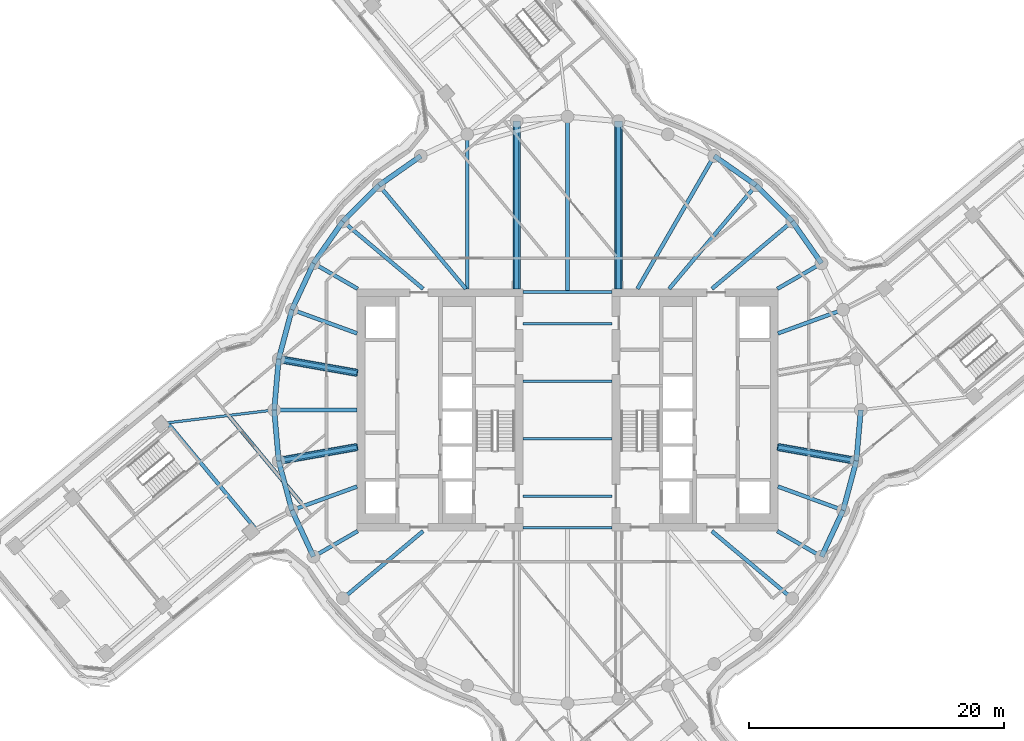
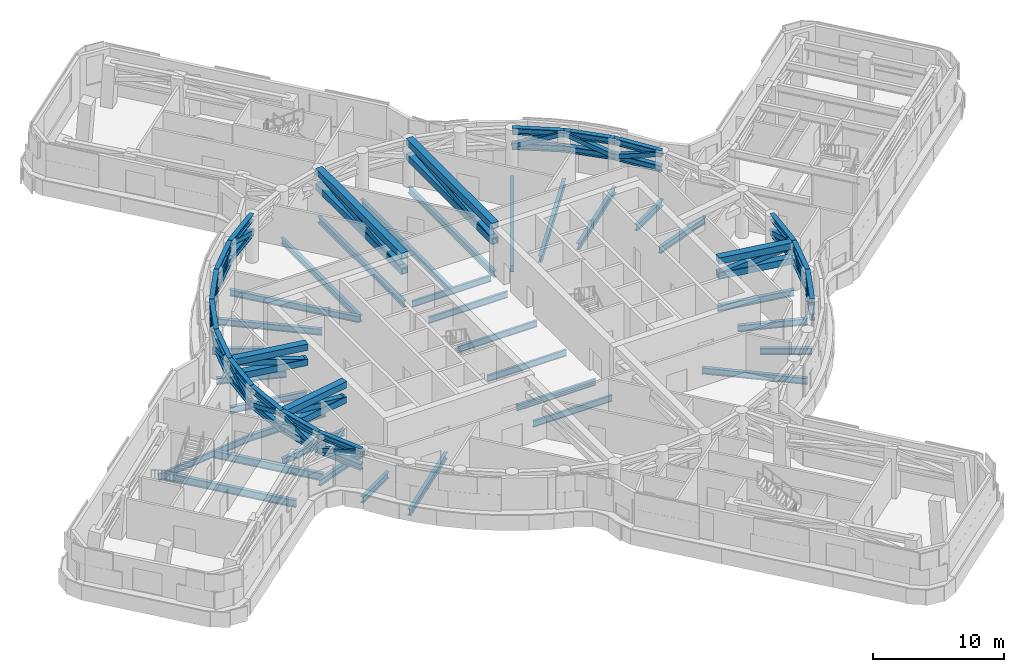
# One storey, part 3 of 22: 60 members, 32 beams.
"""IFC4 building model written with IfcOpenShell, lengths in metres."""

import ifcopenshell
import ifcopenshell.guid

model = None  # the IFC model being written
_history = None  # IfcOwnerHistory: only IFC2X3 demands one
_inside = {}  # id of a spatial element -> (the spatial element, [elements in it])
_under = {}  # id of a project, library or spatial element -> (it, [spatial elements below it])
_declared = {}  # id of a project -> (the project, [libraries it declares])
_typed = {}  # id of a type object -> (the type object, [elements of that type])
_made_of = {}  # id of a material, layer set ... -> (it, [elements and type objects made of it])


def new_model(schema):
    """Start an empty IFC model of exactly this schema.

    Asked for "IFC4X3", IfcOpenShell would pick the latest addendum, in which some entities
    have other attributes; the version numbers below select the first issue.
    IFC2X3 requires an IfcOwnerHistory on every rooted entity: one is made here for all.
    """
    global model, _history
    if schema == "IFC4X3":
        model = ifcopenshell.file(schema_version=(4, 3, 0, 0))
    else:
        model = ifcopenshell.file(schema=schema)
    _inside.clear()
    _under.clear()
    _declared.clear()
    _typed.clear()
    _made_of.clear()
    _history = None
    if model.schema == "IFC2X3":
        org = make("IfcOrganization", Name="unknown")
        user = make(
            "IfcPersonAndOrganization",
            ThePerson=make("IfcPerson", FamilyName="unknown"),
            TheOrganization=org,
        )
        app = make(
            "IfcApplication",
            ApplicationDeveloper=org,
            Version="unknown",
            ApplicationFullName="unknown",
            ApplicationIdentifier="unknown",
        )
        _history = make(
            "IfcOwnerHistory",
            OwningUser=user,
            OwningApplication=app,
            ChangeAction="ADDED",
            CreationDate=0,
        )
    return model


def make(cls, **values):
    """One entity of the class cls with the attributes given. An attribute that is None is left unset."""
    return model.create_entity(
        cls, **{name: value for name, value in values.items() if value is not None}
    )


def rooted(cls, **values):
    """An entity with a GlobalId (a new one), such as an element, a storey or a relation."""
    return make(cls, GlobalId=ifcopenshell.guid.new(), OwnerHistory=_history, **values)


def si_unit(unit_type, name, prefix=None):
    """IfcSIUnit, for example si_unit("LENGTHUNIT", "METRE", prefix="MILLI")."""
    return make("IfcSIUnit", UnitType=unit_type, Prefix=prefix, Name=name)


def assignment(units):
    """IfcUnitAssignment: the units of a project."""
    return None if units is None else make("IfcUnitAssignment", Units=units)


def point(xyz):
    """IfcCartesianPoint."""
    return None if xyz is None else make("IfcCartesianPoint", Coordinates=xyz)


def direction(xyz):
    """IfcDirection."""
    return None if xyz is None else make("IfcDirection", DirectionRatios=xyz)


def frame(location, z_axis=None, x_axis=None):
    """IfcAxis2Placement3D, a coordinate frame: its origin and axes. An axis left out is left unset."""
    return make(
        "IfcAxis2Placement3D",
        Location=point(location),
        Axis=direction(z_axis),
        RefDirection=direction(x_axis),
    )


def frame_2d(location, x_axis=None):
    """IfcAxis2Placement2D, a coordinate frame in the plane: its origin and x axis."""
    return make(
        "IfcAxis2Placement2D", Location=point(location), RefDirection=direction(x_axis)
    )


def origin():
    """The frame at (0, 0, 0) with its axes left unset."""
    return frame((0.0, 0.0, 0.0))


def origin_2d():
    """The frame at (0, 0) in the plane with its x axis left unset."""
    return frame_2d((0.0, 0.0))


def place(relative_to, where):
    """IfcLocalPlacement: puts the frame where relative to a parent placement (None: the world)."""
    return make(
        "IfcLocalPlacement", PlacementRelTo=relative_to, RelativePlacement=where
    )


def context(
    kind, dimensions, precision=None, world=None, true_north=None, identifier=None
):
    """IfcGeometricRepresentationContext, for example the 3D "Model" context."""
    return make(
        "IfcGeometricRepresentationContext",
        ContextIdentifier=identifier,
        ContextType=kind,
        CoordinateSpaceDimension=dimensions,
        Precision=precision,
        WorldCoordinateSystem=world,
        TrueNorth=true_north,
    )


def subcontext(parent, identifier, kind, view, scale=None):
    """IfcGeometricRepresentationSubContext, for example "Body" below "Model"."""
    return make(
        "IfcGeometricRepresentationSubContext",
        ContextIdentifier=identifier,
        ContextType=kind,
        ParentContext=parent,
        TargetScale=scale,
        TargetView=view,
    )


def project(units=None, contexts=None):
    """IfcProject with its units and contexts."""
    return rooted(
        "IfcProject",
        Name="project",
        RepresentationContexts=contexts,
        UnitsInContext=assignment(units),
    )


def spatial(cls, under=None, at=None, **own):
    """A site, building, storey or space (cls), placed at a placement, below another one or the project."""
    s = rooted(cls, ObjectPlacement=at, **own)
    if under is not None:
        _under.setdefault(under.id(), (under, []))[1].append(s)
    return s


def profile(cls, at=None, kind="AREA", **sizes):
    """A parametric profile (cls). Its sizes go by their IFC names, for example OverallWidth=200.0."""
    return make(cls, ProfileType=kind, Position=at, **sizes)


def hollow_rectangle(**sizes):
    """IfcRectangleHollowProfileDef."""
    return profile("IfcRectangleHollowProfileDef", **sizes)


def i_section(**sizes):
    """IfcIShapeProfileDef."""
    return profile("IfcIShapeProfileDef", **sizes)


def extrude(swept, where, along, depth):
    """IfcExtrudedAreaSolid: the profile swept, set in the frame where, extruded along a direction by depth."""
    return make(
        "IfcExtrudedAreaSolid",
        SweptArea=swept,
        Position=where,
        ExtrudedDirection=direction(along),
        Depth=depth,
    )


def shape(context_of_items, identifier, shape_type, items):
    """IfcShapeRepresentation: the items that make up one representation, for example the "Body"."""
    return make(
        "IfcShapeRepresentation",
        ContextOfItems=context_of_items,
        RepresentationIdentifier=identifier,
        RepresentationType=shape_type,
        Items=items,
    )


def material(Name=None, Category=None):
    """IfcMaterial."""
    return make("IfcMaterial", Name=Name, Category=Category)


def material_profile(
    of_material, cross_section, Name=None, Category=None, Priority=None
):
    """IfcMaterialProfile: a cross section and its material."""
    return make(
        "IfcMaterialProfile",
        Name=Name,
        Material=of_material,
        Profile=cross_section,
        Priority=Priority,
        Category=Category,
    )


def profile_set(profiles, Name=None, composite=None):
    """IfcMaterialProfileSet."""
    return make(
        "IfcMaterialProfileSet",
        Name=Name,
        MaterialProfiles=profiles,
        CompositeProfile=composite,
    )


def made_of(thing, what):
    """Note that an element or type object is made of a material, layer set ...; save() writes the relation."""
    if what is not None:
        _made_of.setdefault(what.id(), (what, []))[1].append(thing)
    return thing


def type_object(cls, material=None, **own):
    """A type object (cls), such as IfcWallType, which elements share."""
    return made_of(rooted(cls, **own), material)


def element(
    cls,
    number,
    at=None,
    inside=None,
    cuts=None,
    type_object=None,
    material=None,
    context=None,
    identifier="Body",
    shape_type=None,
    held_by="IfcProductDefinitionShape",
    body=None,
    shapes=None,
    **own,
):
    """One element of the class cls, such as IfcWall. Its Tag is "e" and its number.

    at: its placement. inside: the storey or other place that contains it. cuts: it is an
    opening in that element (IfcRelVoidsElement). A single representation is given by context,
    identifier, shape_type and body (its items); several are given by shapes. held_by: the class
    of the entity that holds the representations. save() writes the other relations.
    """
    e = rooted(cls, Tag="e%d" % number, ObjectPlacement=at, **own)
    if body is not None:
        shapes = [shape(context, identifier, shape_type, body)]
    if shapes is not None:
        e.Representation = make(held_by, Representations=shapes)
    if inside is not None:
        _inside.setdefault(inside.id(), (inside, []))[1].append(e)
    if cuts is not None:
        rooted(
            "IfcRelVoidsElement", RelatingBuildingElement=cuts, RelatedOpeningElement=e
        )
    if type_object is not None:
        _typed.setdefault(type_object.id(), (type_object, []))[1].append(e)
    return made_of(e, material)


def aggregate(whole, parts):
    """IfcRelAggregates: a whole, such as a stair, and the parts it consists of."""
    return rooted("IfcRelAggregates", RelatingObject=whole, RelatedObjects=parts)


def save(model, path):
    """Write the relations noted so far, then the file.

    IfcRelAggregates (storeys below a building ...), IfcRelContainedInSpatialStructure (elements
    in a storey), IfcRelDefinesByType, IfcRelAssociatesMaterial and IfcRelDeclares: one each for
    every whole, place, type object, material and project.
    """
    for whole, parts in _under.values():
        aggregate(whole, parts)
    for where, things in _inside.values():
        rooted(
            "IfcRelContainedInSpatialStructure",
            RelatedElements=things,
            RelatingStructure=where,
        )
    for kind, things in _typed.values():
        rooted("IfcRelDefinesByType", RelatedObjects=things, RelatingType=kind)
    for what, things in _made_of.values():
        rooted("IfcRelAssociatesMaterial", RelatedObjects=things, RelatingMaterial=what)
    for by, libraries in _declared.values():
        rooted("IfcRelDeclares", RelatingContext=by, RelatedDefinitions=libraries)
    model.write(path)


model = new_model("IFC4")

# Units and contexts
model_context = context("Model", 3, precision=1e-05, world=origin(), true_north=direction((0.0, 1.0)))
body_context = subcontext(model_context, "Body", "Model", "MODEL_VIEW")
ifc_project = project(units=[si_unit("LENGTHUNIT", "METRE"), si_unit("AREAUNIT", "SQUARE_METRE"), si_unit("VOLUMEUNIT", "CUBIC_METRE"), si_unit("PLANEANGLEUNIT", "RADIAN"), si_unit("MASSUNIT", "GRAM", prefix="KILO")], contexts=[model_context])

# Site, building, storey
site_placement = place(None, origin())
site = spatial("IfcSite", under=ifc_project, at=site_placement, CompositionType="ELEMENT")
building_placement = place(site_placement, origin())
building = spatial("IfcBuilding", under=site, at=building_placement, Name="Tamarind Cross Interchange Tower", CompositionType="ELEMENT")
storey_placement = place(building_placement, frame((0.0, 0.0, 178.0)))
storey = spatial("IfcBuildingStorey", under=building, at=storey_placement, Name="L44", CompositionType="ELEMENT", Elevation=178.0)

# Beams
ifc_material_1 = material(Name="Steel Q355B", Category="steel")
ifc_material_profile_1 = material_profile(ifc_material_1, i_section(OverallWidth=0.302001953125, OverallDepth=0.593994140625, WebThickness=0.013916015625, FlangeThickness=0.02294921875, FilletRadius=0.01806640625, at=origin_2d()), Name="HM 594x302x14x23")
ifc_profile_set_1 = profile_set([ifc_material_profile_1], Name="Steel Q355B")
beam_type_1 = type_object("IfcBeamType", Name="Composite beam HM 594x302x14x23 Q355B", PredefinedType="BEAM", material=ifc_profile_set_1)
beam_1_placement = place(storey_placement, frame((21.613037109375, 7.866455078125, -0.47705078125), z_axis=(-0.939701685589, -0.341995236956, 0.0), x_axis=(0.341995236956, -0.939701685589, 0.0)))
element("IfcBeam", 1, at=beam_1_placement, inside=storey, type_object=beam_type_1, Name="Beam HH02", PredefinedType="BEAM", context=body_context, shape_type="SweptSolid", body=[
    extrude(i_section(OverallWidth=0.302001953125, OverallDepth=0.593994140625, WebThickness=0.013916015625, FlangeThickness=0.02294921875, FilletRadius=0.01806640625, at=origin_2d()), origin(), (0.0, 0.0, 1.0), 5.441162109375),
])
beam_2_placement = place(storey_placement, frame((19.918701171875, 11.5, -0.47705078125), z_axis=(-0.866026010844, -0.49999894854, 0.0), x_axis=(0.49999894854, -0.866026010844, 0.0)))
element("IfcBeam", 2, at=beam_2_placement, inside=storey, type_object=beam_type_1, Name="Beam HH03", PredefinedType="BEAM", context=body_context, shape_type="SweptSolid", body=[
    extrude(i_section(OverallWidth=0.302001953125, OverallDepth=0.593994140625, WebThickness=0.013916015625, FlangeThickness=0.02294921875, FilletRadius=0.01806640625, at=origin_2d()), origin(), (0.0, 0.0, 1.0), 4.0),
])
beam_3_placement = place(storey_placement, frame((17.619140625, 14.7841796875, -0.47705078125), z_axis=(-0.766040580814, -0.642792212574, 0.0), x_axis=(0.642792212574, -0.766040580814, 0.0)))
element("IfcBeam", 3, at=beam_3_placement, inside=storey, type_object=beam_type_1, Name="Beam HH04", PredefinedType="BEAM", context=body_context, shape_type="SweptSolid", body=[
    extrude(i_section(OverallWidth=0.302001953125, OverallDepth=0.593994140625, WebThickness=0.013916015625, FlangeThickness=0.02294921875, FilletRadius=0.01806640625, at=origin_2d()), origin(), (0.0, 0.0, 1.0), 8.220703125),
])
beam_4_placement = place(storey_placement, frame((14.7841796875, 17.619140625, -0.47705078125), z_axis=(-0.642786293979, -0.766045547127, 0.0), x_axis=(0.766045547127, -0.642786293979, 0.0)))
element("IfcBeam", 4, at=beam_4_placement, inside=storey, type_object=beam_type_1, Name="Beam HH05", PredefinedType="BEAM", context=body_context, shape_type="SweptSolid", body=[
    extrude(i_section(OverallWidth=0.302001953125, OverallDepth=0.593994140625, WebThickness=0.013916015625, FlangeThickness=0.02294921875, FilletRadius=0.01806640625, at=origin_2d()), origin(), (0.0, 0.0, 1.0), 10.598876953125),
])
beam_5_placement = place(storey_placement, frame((11.5, 19.918701171875, -0.47705078125), z_axis=(-0.499993565836, -0.866029118519, 0.0), x_axis=(0.866029118519, -0.499993565836, 0.0)))
element("IfcBeam", 5, at=beam_5_placement, inside=storey, type_object=beam_type_1, Name="Beam HH06", PredefinedType="BEAM", context=body_context, shape_type="SweptSolid", body=[
    extrude(i_section(OverallWidth=0.302001953125, OverallDepth=0.593994140625, WebThickness=0.013916015625, FlangeThickness=0.02294921875, FilletRadius=0.01806640625, at=origin_2d()), origin(), (0.0, 0.0, 1.0), 12.030517578125),
])
beam_6_placement = place(storey_placement, frame((3.993896484375, 22.650634765625, -0.47705078125), z_axis=(0.0, -1.0, 0.0), x_axis=(1.0, 0.0, 0.0)))
element("IfcBeam", 6, at=beam_6_placement, inside=storey, type_object=beam_type_1, Name="Beam HH08", PredefinedType="BEAM", context=body_context, shape_type="SweptSolid", body=[
    extrude(i_section(OverallWidth=0.302001953125, OverallDepth=0.593994140625, WebThickness=0.013916015625, FlangeThickness=0.02294921875, FilletRadius=0.01806640625, at=origin_2d()), origin(), (0.0, 0.0, 1.0), 13.150634765625),
])
beam_7_placement = place(storey_placement, frame((0.0, 23.0, -0.47705078125), z_axis=(0.0, -1.0, 0.0), x_axis=(1.0, 0.0, 0.0)))
element("IfcBeam", 7, at=beam_7_placement, inside=storey, type_object=beam_type_1, Name="Beam HH09", PredefinedType="BEAM", context=body_context, shape_type="SweptSolid", body=[
    extrude(i_section(OverallWidth=0.302001953125, OverallDepth=0.593994140625, WebThickness=0.013916015625, FlangeThickness=0.02294921875, FilletRadius=0.01806640625, at=origin_2d()), origin(), (0.0, 0.0, 1.0), 13.75),
])
beam_8_placement = place(storey_placement, frame((-3.993896484375, 22.650634765625, -0.47705078125), z_axis=(0.0, -1.0, 0.0), x_axis=(1.0, 0.0, 0.0)))
element("IfcBeam", 8, at=beam_8_placement, inside=storey, type_object=beam_type_1, Name="Beam HH10", PredefinedType="BEAM", context=body_context, shape_type="SweptSolid", body=[
    extrude(i_section(OverallWidth=0.302001953125, OverallDepth=0.593994140625, WebThickness=0.013916015625, FlangeThickness=0.02294921875, FilletRadius=0.01806640625, at=origin_2d()), origin(), (0.0, 0.0, 1.0), 13.150634765625),
])
beam_9_placement = place(storey_placement, frame((-7.866455078125, 21.613037109375, -0.47705078125), z_axis=(0.0, -1.0, 0.0), x_axis=(1.0, 0.0, 0.0)))
element("IfcBeam", 9, at=beam_9_placement, inside=storey, type_object=beam_type_1, Name="Beam HH11", PredefinedType="BEAM", context=body_context, shape_type="SweptSolid", body=[
    extrude(i_section(OverallWidth=0.302001953125, OverallDepth=0.593994140625, WebThickness=0.013916015625, FlangeThickness=0.02294921875, FilletRadius=0.01806640625, at=origin_2d()), origin(), (0.0, 0.0, 1.0), 12.113037109375),
])
beam_10_placement = place(storey_placement, frame((-14.7841796875, 17.619140625, -0.47705078125), z_axis=(0.642786293979, -0.766045547127, 0.0), x_axis=(0.766045547127, 0.642786293979, 0.0)))
element("IfcBeam", 10, at=beam_10_placement, inside=storey, type_object=beam_type_1, Name="Beam HH13", PredefinedType="BEAM", context=body_context, shape_type="SweptSolid", body=[
    extrude(i_section(OverallWidth=0.302001953125, OverallDepth=0.593994140625, WebThickness=0.013916015625, FlangeThickness=0.02294921875, FilletRadius=0.01806640625, at=origin_2d()), origin(), (0.0, 0.0, 1.0), 10.598876953125),
])
beam_11_placement = place(storey_placement, frame((-17.619140625, 14.7841796875, -0.47705078125), z_axis=(0.766040580814, -0.642792212574, 0.0), x_axis=(0.642792212574, 0.766040580814, 0.0)))
element("IfcBeam", 11, at=beam_11_placement, inside=storey, type_object=beam_type_1, Name="Beam HH14", PredefinedType="BEAM", context=body_context, shape_type="SweptSolid", body=[
    extrude(i_section(OverallWidth=0.302001953125, OverallDepth=0.593994140625, WebThickness=0.013916015625, FlangeThickness=0.02294921875, FilletRadius=0.01806640625, at=origin_2d()), origin(), (0.0, 0.0, 1.0), 8.220703125),
])
beam_12_placement = place(storey_placement, frame((-19.918701171875, 11.5, -0.47705078125), z_axis=(0.866026010844, -0.49999894854, 0.0), x_axis=(0.49999894854, 0.866026010844, 0.0)))
element("IfcBeam", 12, at=beam_12_placement, inside=storey, type_object=beam_type_1, Name="Beam HH15", PredefinedType="BEAM", context=body_context, shape_type="SweptSolid", body=[
    extrude(i_section(OverallWidth=0.302001953125, OverallDepth=0.593994140625, WebThickness=0.013916015625, FlangeThickness=0.02294921875, FilletRadius=0.01806640625, at=origin_2d()), origin(), (0.0, 0.0, 1.0), 4.0),
])
beam_13_placement = place(storey_placement, frame((-21.613037109375, 7.866455078125, -0.47705078125), z_axis=(0.939701685589, -0.341995236956, 0.0), x_axis=(0.341995236956, 0.939701685589, 0.0)))
element("IfcBeam", 13, at=beam_13_placement, inside=storey, type_object=beam_type_1, Name="Beam HH16", PredefinedType="BEAM", context=body_context, shape_type="SweptSolid", body=[
    extrude(i_section(OverallWidth=0.302001953125, OverallDepth=0.593994140625, WebThickness=0.013916015625, FlangeThickness=0.02294921875, FilletRadius=0.01806640625, at=origin_2d()), origin(), (0.0, 0.0, 1.0), 5.441162109375),
])
beam_14_placement = place(storey_placement, frame((-22.650634765625, 3.993896484375, -0.47705078125), z_axis=(0.984809127561, -0.173640382036, 0.0), x_axis=(0.173640382036, 0.984809127561, 0.0)))
element("IfcBeam", 14, at=beam_14_placement, inside=storey, type_object=beam_type_1, Name="Beam HH17", PredefinedType="BEAM", context=body_context, shape_type="SweptSolid", body=[
    extrude(i_section(OverallWidth=0.302001953125, OverallDepth=0.593994140625, WebThickness=0.013916015625, FlangeThickness=0.02294921875, FilletRadius=0.01806640625, at=origin_2d()), origin(), (0.0, 0.0, 1.0), 6.24560546875),
])
beam_15_placement = place(storey_placement, frame((-23.0, 0.0, -0.47705078125), z_axis=(1.0, 0.0, 0.0), x_axis=(0.0, 1.0, 0.0)))
element("IfcBeam", 15, at=beam_15_placement, inside=storey, type_object=beam_type_1, Name="Beam HH18", PredefinedType="BEAM", context=body_context, shape_type="SweptSolid", body=[
    extrude(i_section(OverallWidth=0.302001953125, OverallDepth=0.593994140625, WebThickness=0.013916015625, FlangeThickness=0.02294921875, FilletRadius=0.01806640625, at=origin_2d()), origin(), (0.0, 0.0, 1.0), 6.5),
])
beam_16_placement = place(storey_placement, frame((-22.650634765625, -3.993896484375, -0.47705078125), z_axis=(0.984809127561, 0.173640382036, 0.0), x_axis=(-0.173640382036, 0.984809127561, 0.0)))
element("IfcBeam", 16, at=beam_16_placement, inside=storey, type_object=beam_type_1, Name="Beam HH19", PredefinedType="BEAM", context=body_context, shape_type="SweptSolid", body=[
    extrude(i_section(OverallWidth=0.302001953125, OverallDepth=0.593994140625, WebThickness=0.013916015625, FlangeThickness=0.02294921875, FilletRadius=0.01806640625, at=origin_2d()), origin(), (0.0, 0.0, 1.0), 6.24560546875),
])
beam_17_placement = place(storey_placement, frame((-21.613037109375, -7.866455078125, -0.47705078125), z_axis=(0.939701685589, 0.341995236956, 0.0), x_axis=(-0.341995236956, 0.939701685589, 0.0)))
element("IfcBeam", 17, at=beam_17_placement, inside=storey, type_object=beam_type_1, Name="Beam HH20", PredefinedType="BEAM", context=body_context, shape_type="SweptSolid", body=[
    extrude(i_section(OverallWidth=0.302001953125, OverallDepth=0.593994140625, WebThickness=0.013916015625, FlangeThickness=0.02294921875, FilletRadius=0.01806640625, at=origin_2d()), origin(), (0.0, 0.0, 1.0), 5.441162109375),
])
beam_18_placement = place(storey_placement, frame((-19.918701171875, -11.5, -0.47705078125), z_axis=(0.866026010844, 0.49999894854, 0.0), x_axis=(-0.49999894854, 0.866026010844, 0.0)))
element("IfcBeam", 18, at=beam_18_placement, inside=storey, type_object=beam_type_1, Name="Beam HH21", PredefinedType="BEAM", context=body_context, shape_type="SweptSolid", body=[
    extrude(i_section(OverallWidth=0.302001953125, OverallDepth=0.593994140625, WebThickness=0.013916015625, FlangeThickness=0.02294921875, FilletRadius=0.01806640625, at=origin_2d()), origin(), (0.0, 0.0, 1.0), 4.0),
])
for number, where, z_axis, x_axis, name in (
    (19, (-17.619140625, -14.7841796875, -0.47705078125), (0.766040580814, 0.642792212574, 0.0), (-0.642792212574, 0.766040580814, 0.0), "Beam HH22"),
    (20, (17.619140625, -14.7841796875, -0.47705078125), (-0.766040580814, 0.642792212574, 0.0), (-0.642792212574, -0.766040580814, 0.0), "Beam HH32"),
):
    element("IfcBeam", number, at=place(storey_placement, frame(where, z_axis=z_axis, x_axis=x_axis)), inside=storey, type_object=beam_type_1, Name=name, PredefinedType="BEAM", context=body_context, shape_type="SweptSolid", body=[
        extrude(i_section(OverallWidth=0.302001953125, OverallDepth=0.593994140625, WebThickness=0.013916015625, FlangeThickness=0.02294921875, FilletRadius=0.01806640625, at=origin_2d()), origin(), (0.0, 0.0, 1.0), 8.220703125),
    ])
beam_19_placement = place(storey_placement, frame((19.918701171875, -11.5, -0.47705078125), z_axis=(-0.866026010844, 0.49999894854, 0.0), x_axis=(-0.49999894854, -0.866026010844, 0.0)))
element("IfcBeam", 21, at=beam_19_placement, inside=storey, type_object=beam_type_1, Name="Beam HH33", PredefinedType="BEAM", context=body_context, shape_type="SweptSolid", body=[
    extrude(i_section(OverallWidth=0.302001953125, OverallDepth=0.593994140625, WebThickness=0.013916015625, FlangeThickness=0.02294921875, FilletRadius=0.01806640625, at=origin_2d()), origin(), (0.0, 0.0, 1.0), 4.0),
])
beam_20_placement = place(storey_placement, frame((21.613037109375, -7.866455078125, -0.47705078125), z_axis=(-0.939701685589, 0.341995236956, 0.0), x_axis=(-0.341995236956, -0.939701685589, 0.0)))
element("IfcBeam", 22, at=beam_20_placement, inside=storey, type_object=beam_type_1, Name="Beam HH34", PredefinedType="BEAM", context=body_context, shape_type="SweptSolid", body=[
    extrude(i_section(OverallWidth=0.302001953125, OverallDepth=0.593994140625, WebThickness=0.013916015625, FlangeThickness=0.02294921875, FilletRadius=0.01806640625, at=origin_2d()), origin(), (0.0, 0.0, 1.0), 5.441162109375),
])
beam_21_placement = place(storey_placement, frame((22.650634765625, -3.993896484375, -0.47705078125), z_axis=(-0.984809127561, 0.173640382036, 0.0), x_axis=(-0.173640382036, -0.984809127561, 0.0)))
element("IfcBeam", 23, at=beam_21_placement, inside=storey, type_object=beam_type_1, Name="Beam HH35", PredefinedType="BEAM", context=body_context, shape_type="SweptSolid", body=[
    extrude(i_section(OverallWidth=0.302001953125, OverallDepth=0.593994140625, WebThickness=0.013916015625, FlangeThickness=0.02294921875, FilletRadius=0.01806640625, at=origin_2d()), origin(), (0.0, 0.0, 1.0), 6.24560546875),
])
ifc_material_profile_2 = material_profile(ifc_material_1, i_section(OverallWidth=0.198974609375, OverallDepth=0.595947265625, WebThickness=0.010009765625, FlangeThickness=0.014892578125, FilletRadius=0.012939453125, at=origin_2d()), Name="HN 596x199x10x15")
ifc_profile_set_2 = profile_set([ifc_material_profile_2], Name="Steel Q355B")
beam_type_2 = type_object("IfcBeamType", Name="Composite beam HN 596x199x10x15 Q355B", PredefinedType="BEAM", material=ifc_profile_set_2)
for number, where, z_axis, x_axis, name in (
    (24, (-3.5, -2.25, -0.47802734375), (1.0, 0.0, 0.0), (0.0, 1.0, 0.0), "Beam G-2.25"),
    (25, (-3.5, -6.75, -0.47802734375), (1.0, 0.0, 0.0), (0.0, 1.0, 0.0), "Beam G-6.75"),
    (26, (-3.5, -9.25, -0.47802734375), (1.0, 0.0, 0.0), (0.0, 1.0, 0.0), "Beam G-9.25"),
    (27, (-3.5, 2.25, -0.47802734375), (1.0, 0.0, 0.0), (0.0, 1.0, 0.0), "Beam G2.25"),
    (28, (-3.5, 6.75, -0.47802734375), (1.0, 0.0, 0.0), (0.0, 1.0, 0.0), "Beam G6.75"),
    (29, (-3.5, 9.25, -0.47802734375), (1.0, 0.0, 0.0), (0.0, 1.0, 0.0), "Beam G9.25"),
):
    element("IfcBeam", number, at=place(storey_placement, frame(where, z_axis=z_axis, x_axis=x_axis)), inside=storey, type_object=beam_type_2, Name=name, PredefinedType="BEAM", context=body_context, shape_type="SweptSolid", body=[
        extrude(i_section(OverallWidth=0.198974609375, OverallDepth=0.595947265625, WebThickness=0.010009765625, FlangeThickness=0.014892578125, FilletRadius=0.012939453125, at=origin_2d()), origin(), (0.0, 0.0, 1.0), 7.0),
    ])
ifc_material_profile_3 = material_profile(ifc_material_1, i_section(OverallWidth=0.199951171875, OverallDepth=0.60009765625, WebThickness=0.010986328125, FlangeThickness=0.01708984375, FilletRadius=0.012939453125, at=origin_2d()), Name="HN 600x200x11x17")
ifc_profile_set_3 = profile_set([ifc_material_profile_3], Name="Steel Q355B")
beam_type_3 = type_object("IfcBeamType", Name="Composite beam HN 600x200x11x17 Q355B", PredefinedType="BEAM", material=ifc_profile_set_3)
beam_22_placement = place(storey_placement, frame((-31.899169921875, -1.070556640625, -0.47998046875), z_axis=(0.992841738772, 0.119437354929, 0.0), x_axis=(-0.119437354929, 0.992841738772, 0.0)))
element("IfcBeam", 30, at=beam_22_placement, inside=storey, type_object=beam_type_3, Name="Beam W-linkem", PredefinedType="BEAM", context=body_context, shape_type="SweptSolid", body=[
    extrude(i_section(OverallWidth=0.199951171875, OverallDepth=0.60009765625, WebThickness=0.010986328125, FlangeThickness=0.01708984375, FilletRadius=0.012939453125, at=origin_2d()), origin(), (0.0, 0.0, 1.0), 8.96337890625),
])
ifc_material_profile_4 = material_profile(ifc_material_1, i_section(OverallWidth=0.300048828125, OverallDepth=0.699951171875, WebThickness=0.012939453125, FlangeThickness=0.02392578125, FilletRadius=0.01806640625, at=origin_2d()), Name="HN 700x300x13x24")
ifc_profile_set_4 = profile_set([ifc_material_profile_4], Name="Steel Q355B")
beam_type_4 = type_object("IfcBeamType", Name="Composite beam HN 700x300x13x24 Q355B", PredefinedType="BEAM", material=ifc_profile_set_4)
beam_23_placement = place(storey_placement, frame((-31.367431640625, -1.006591796875, -0.530029296875), z_axis=(0.638806079007, -0.769367788137, 0.0), x_axis=(0.769367788137, 0.638806079007, 0.0)))
element("IfcBeam", 31, at=beam_23_placement, inside=storey, type_object=beam_type_4, Name="Beam W-x298", PredefinedType="BEAM", context=body_context, shape_type="SweptSolid", body=[
    extrude(i_section(OverallWidth=0.300048828125, OverallDepth=0.699951171875, WebThickness=0.012939453125, FlangeThickness=0.02392578125, FilletRadius=0.01806640625, at=origin_2d()), origin(), (0.0, 0.0, 1.0), 10.81005859375),
])
beam_24_placement = place(storey_placement, frame((-26.581298828125, -0.430908203125, -0.530029296875), z_axis=(0.638801055904, -0.769371958793, 0.0), x_axis=(0.769371958793, 0.638801055904, 0.0)))
element("IfcBeam", 32, at=beam_24_placement, inside=storey, type_object=beam_type_4, Name="Beam W-x258", PredefinedType="BEAM", context=body_context, shape_type="SweptSolid", body=[
    extrude(i_section(OverallWidth=0.300048828125, OverallDepth=0.699951171875, WebThickness=0.012939453125, FlangeThickness=0.02392578125, FilletRadius=0.01806640625, at=origin_2d()), origin(), (0.0, 0.0, 1.0), 8.89453125),
])

# Members
ifc_material_2 = material(Name="Steel Q420B", Category="steel")
ifc_material_profile_5 = material_profile(ifc_material_2, i_section(OverallWidth=0.39990234375, OverallDepth=0.60009765625, WebThickness=0.02490234375, FlangeThickness=0.0400390625, at=origin_2d()), Name="BH 600x400x25x40")
ifc_profile_set_5 = profile_set([ifc_material_profile_5], Name="Steel Q420B")
member_type_1 = type_object("IfcMemberType", Name="Truss chord BH 600x400x25x40 Q420B", PredefinedType="CHORD", material=ifc_profile_set_5)
for number, where, z_axis, x_axis, name in (
    (33, (19.918701171875, 11.5, 4.06005859375), (-0.573568599011, 0.819157531998, 0.0), (-0.819157531998, -0.573568599011, 0.0), "Belt truss ring top H03"),
    (34, (19.918701171875, 11.5, 2.64990234375), (-0.573568599011, 0.819157531998, 0.0), (-0.819157531998, -0.573568599011, 0.0), "Belt truss ring bottom H03"),
    (35, (17.619140625, 14.7841796875, 4.06005859375), (-0.707106781187, 0.707106781187, 0.0), (-0.707106781187, -0.707106781187, 0.0), "Belt truss ring top H04"),
    (36, (17.619140625, 14.7841796875, 2.64990234375), (-0.707106781187, 0.707106781187, 0.0), (-0.707106781187, -0.707106781187, 0.0), "Belt truss ring bottom H04"),
    (37, (14.7841796875, 17.619140625, 4.06005859375), (-0.819157531998, 0.573568599011, 0.0), (-0.573568599011, -0.819157531998, 0.0), "Belt truss ring top H05"),
    (38, (14.7841796875, 17.619140625, 2.64990234375), (-0.819157531998, 0.573568599011, 0.0), (-0.573568599011, -0.819157531998, 0.0), "Belt truss ring bottom H05"),
    (39, (-11.5, 19.918701171875, 4.06005859375), (-0.819157531998, -0.573568599011, 0.0), (0.573568599011, -0.819157531998, 0.0), "Belt truss ring top H12"),
    (40, (-11.5, 19.918701171875, 2.64990234375), (-0.819157531998, -0.573568599011, 0.0), (0.573568599011, -0.819157531998, 0.0), "Belt truss ring bottom H12"),
    (41, (-14.7841796875, 17.619140625, 4.06005859375), (-0.707106781187, -0.707106781187, 0.0), (0.707106781187, -0.707106781187, 0.0), "Belt truss ring top H13"),
    (42, (-14.7841796875, 17.619140625, 2.64990234375), (-0.707106781187, -0.707106781187, 0.0), (0.707106781187, -0.707106781187, 0.0), "Belt truss ring bottom H13"),
    (43, (-17.619140625, 14.7841796875, 4.06005859375), (-0.573568599011, -0.819157531998, 0.0), (0.819157531998, -0.573568599011, 0.0), "Belt truss ring top H14"),
    (44, (-17.619140625, 14.7841796875, 2.64990234375), (-0.573568599011, -0.819157531998, 0.0), (0.819157531998, -0.573568599011, 0.0), "Belt truss ring bottom H14"),
    (45, (-19.918701171875, 11.5, 4.06005859375), (-0.422615416827, -0.906309113636, 0.0), (0.906309113636, -0.422615416827, 0.0), "Belt truss ring top H15"),
    (46, (-19.918701171875, 11.5, 2.64990234375), (-0.422615416827, -0.906309113636, 0.0), (0.906309113636, -0.422615416827, 0.0), "Belt truss ring bottom H15"),
):
    element("IfcMember", number, at=place(storey_placement, frame(where, z_axis=z_axis, x_axis=x_axis)), inside=storey, type_object=member_type_1, Name=name, PredefinedType="CHORD", context=body_context, shape_type="SweptSolid", body=[
        extrude(i_section(OverallWidth=0.39990234375, OverallDepth=0.60009765625, WebThickness=0.02490234375, FlangeThickness=0.0400390625, at=origin_2d()), origin(), (0.0, 0.0, 1.0), 4.00927734375),
    ])
for number, where, z_axis, x_axis, name in (
    (47, (-21.613037109375, 7.866455078125, 4.06005859375), (-0.258807108475, -0.96592902462, 0.0), (0.96592902462, -0.258807108475, 0.0), "Belt truss ring top H16"),
    (48, (-21.613037109375, 7.866455078125, 2.64990234375), (-0.258807108475, -0.96592902462, 0.0), (0.96592902462, -0.258807108475, 0.0), "Belt truss ring bottom H16"),
    (49, (-22.650634765625, 3.993896484375, 4.06005859375), (-0.087142021558, -0.996195898445, 0.0), (0.996195898445, -0.087142021558, 0.0), "Belt truss ring top H17"),
    (50, (-22.650634765625, 3.993896484375, 2.64990234375), (-0.087142021558, -0.996195898445, 0.0), (0.996195898445, -0.087142021558, 0.0), "Belt truss ring bottom H17"),
    (51, (-23.0, 0.0, 4.06005859375), (0.087142021558, -0.996195898445, 0.0), (0.996195898445, 0.087142021558, 0.0), "Belt truss ring top H18"),
    (52, (-23.0, 0.0, 2.64990234375), (0.087142021558, -0.996195898445, 0.0), (0.996195898445, 0.087142021558, 0.0), "Belt truss ring bottom H18"),
    (53, (-22.650634765625, -3.993896484375, 4.06005859375), (0.258807108475, -0.96592902462, 0.0), (0.96592902462, 0.258807108475, 0.0), "Belt truss ring top H19"),
    (54, (-22.650634765625, -3.993896484375, 2.64990234375), (0.258807108475, -0.96592902462, 0.0), (0.96592902462, 0.258807108475, 0.0), "Belt truss ring bottom H19"),
):
    element("IfcMember", number, at=place(storey_placement, frame(where, z_axis=z_axis, x_axis=x_axis)), inside=storey, type_object=member_type_1, Name=name, PredefinedType="CHORD", context=body_context, shape_type="SweptSolid", body=[
        extrude(i_section(OverallWidth=0.39990234375, OverallDepth=0.60009765625, WebThickness=0.02490234375, FlangeThickness=0.0400390625, at=origin_2d()), origin(), (0.0, 0.0, 1.0), 4.009033203125),
    ])
for number, where, z_axis, x_axis, name in (
    (55, (-21.613037109375, -7.866455078125, 4.06005859375), (0.422615416827, -0.906309113636, 0.0), (0.906309113636, 0.422615416827, 0.0), "Belt truss ring top H20"),
    (56, (-21.613037109375, -7.866455078125, 2.64990234375), (0.422615416827, -0.906309113636, 0.0), (0.906309113636, 0.422615416827, 0.0), "Belt truss ring bottom H20"),
    (57, (19.918701171875, -11.5, 4.06005859375), (0.422615416827, 0.906309113636, 0.0), (-0.906309113636, 0.422615416827, 0.0), "Belt truss ring top H33"),
    (58, (19.918701171875, -11.5, 2.64990234375), (0.422615416827, 0.906309113636, 0.0), (-0.906309113636, 0.422615416827, 0.0), "Belt truss ring bottom H33"),
):
    element("IfcMember", number, at=place(storey_placement, frame(where, z_axis=z_axis, x_axis=x_axis)), inside=storey, type_object=member_type_1, Name=name, PredefinedType="CHORD", context=body_context, shape_type="SweptSolid", body=[
        extrude(i_section(OverallWidth=0.39990234375, OverallDepth=0.60009765625, WebThickness=0.02490234375, FlangeThickness=0.0400390625, at=origin_2d()), origin(), (0.0, 0.0, 1.0), 4.00927734375),
    ])
for number, where, z_axis, x_axis, name in (
    (59, (21.613037109375, -7.866455078125, 4.06005859375), (0.258807108475, 0.96592902462, 0.0), (-0.96592902462, 0.258807108475, 0.0), "Belt truss ring top H34"),
    (60, (21.613037109375, -7.866455078125, 2.64990234375), (0.258807108475, 0.96592902462, 0.0), (-0.96592902462, 0.258807108475, 0.0), "Belt truss ring bottom H34"),
    (61, (22.650634765625, -3.993896484375, 4.06005859375), (0.087142021558, 0.996195898445, 0.0), (-0.996195898445, 0.087142021558, 0.0), "Belt truss ring top H35"),
    (62, (22.650634765625, -3.993896484375, 2.64990234375), (0.087142021558, 0.996195898445, 0.0), (-0.996195898445, 0.087142021558, 0.0), "Belt truss ring bottom H35"),
):
    element("IfcMember", number, at=place(storey_placement, frame(where, z_axis=z_axis, x_axis=x_axis)), inside=storey, type_object=member_type_1, Name=name, PredefinedType="CHORD", context=body_context, shape_type="SweptSolid", body=[
        extrude(i_section(OverallWidth=0.39990234375, OverallDepth=0.60009765625, WebThickness=0.02490234375, FlangeThickness=0.0400390625, at=origin_2d()), origin(), (0.0, 0.0, 1.0), 4.009033203125),
    ])
ifc_material_profile_6 = material_profile(ifc_material_2, hollow_rectangle(XDim=0.60009765625, YDim=0.60009765625, WallThickness=0.0400390625, at=origin_2d()), Name="BOX 600x600x40")
ifc_profile_set_6 = profile_set([ifc_material_profile_6], Name="Steel Q420B")
member_type_2 = type_object("IfcMemberType", Name="Truss chord BOX 600x600x40 Q420B", PredefinedType="CHORD", material=ifc_profile_set_6)
for number, where, z_axis, x_axis, name in (
    (63, (16.5, -2.909423828125, 4.06005859375), (0.984809127561, -0.173640382036, 0.0), (0.173640382036, 0.984809127561, 0.0), "Outrigger truss H35 top"),
    (64, (16.5, -2.909423828125, 2.64990234375), (0.984809127561, -0.173640382036, 0.0), (0.173640382036, 0.984809127561, 0.0), "Outrigger truss H35 bottom"),
    (65, (-16.5, 2.909423828125, 4.06005859375), (-0.984809127561, 0.173640382036, 0.0), (-0.173640382036, -0.984809127561, 0.0), "Outrigger truss H17 top"),
    (66, (-16.5, 2.909423828125, 2.64990234375), (-0.984809127561, 0.173640382036, 0.0), (-0.173640382036, -0.984809127561, 0.0), "Outrigger truss H17 bottom"),
    (67, (-16.5, -2.909423828125, 4.06005859375), (-0.984809127561, -0.173640382036, 0.0), (0.173640382036, -0.984809127561, 0.0), "Outrigger truss H19 top"),
    (68, (-16.5, -2.909423828125, 2.64990234375), (-0.984809127561, -0.173640382036, 0.0), (0.173640382036, -0.984809127561, 0.0), "Outrigger truss H19 bottom"),
):
    element("IfcMember", number, at=place(storey_placement, frame(where, z_axis=z_axis, x_axis=x_axis)), inside=storey, type_object=member_type_2, Name=name, PredefinedType="CHORD", context=body_context, shape_type="SweptSolid", body=[
        extrude(hollow_rectangle(XDim=0.60009765625, YDim=0.60009765625, WallThickness=0.0400390625, at=origin_2d()), origin(), (0.0, 0.0, 1.0), 6.24560546875),
    ])
for number, where, z_axis, x_axis, name in (
    (69, (3.993896484375, 9.5, 4.06005859375), (0.0, 1.0, 0.0), (-1.0, 0.0, 0.0), "Outrigger truss H08 top"),
    (70, (3.993896484375, 9.5, 2.64990234375), (0.0, 1.0, 0.0), (-1.0, 0.0, 0.0), "Outrigger truss H08 bottom"),
    (71, (-3.993896484375, 9.5, 4.06005859375), (0.0, 1.0, 0.0), (-1.0, 0.0, 0.0), "Outrigger truss H10 top"),
    (72, (-3.993896484375, 9.5, 2.64990234375), (0.0, 1.0, 0.0), (-1.0, 0.0, 0.0), "Outrigger truss H10 bottom"),
):
    element("IfcMember", number, at=place(storey_placement, frame(where, z_axis=z_axis, x_axis=x_axis)), inside=storey, type_object=member_type_2, Name=name, PredefinedType="CHORD", context=body_context, shape_type="SweptSolid", body=[
        extrude(hollow_rectangle(XDim=0.60009765625, YDim=0.60009765625, WallThickness=0.0400390625, at=origin_2d()), origin(), (0.0, 0.0, 1.0), 13.150634765625),
    ])
ifc_material_profile_7 = material_profile(ifc_material_2, hollow_rectangle(XDim=0.39990234375, YDim=0.39990234375, WallThickness=0.02490234375, at=origin_2d()), Name="BOX 400x400x25")
ifc_profile_set_7 = profile_set([ifc_material_profile_7], Name="Steel Q420B")
member_type_3 = type_object("IfcMemberType", Name="Truss diagonal BOX 400x400x25 Q420B", PredefinedType="BRACE", material=ifc_profile_set_7)
for number, where, z_axis, x_axis, name in (
    (73, (19.918701171875, 11.5, 4.06005859375), (-0.541075232991, 0.772751251109, -0.331802797086), (-0.819157531998, -0.573568599011, 0.0), "Belt truss ring diagonal H03"),
    (74, (17.619140625, 14.7841796875, 2.64990234375), (-0.667048751873, 0.667048751873, 0.331801032623), (-0.707106781187, -0.707106781187, 0.0), "Belt truss ring diagonal H04"),
    (75, (14.7841796875, 17.619140625, 4.06005859375), (-0.772751251109, 0.541075232991, -0.331802797086), (-0.573568599011, -0.819157531998, 0.0), "Belt truss ring diagonal H05"),
    (76, (-11.5, 19.918701171875, 2.64990234375), (-0.772751251109, -0.541075232991, 0.331802797086), (0.573568599011, -0.819157531998, 0.0), "Belt truss ring diagonal H12"),
    (77, (-14.7841796875, 17.619140625, 4.06005859375), (-0.667048751873, -0.667048751873, -0.331801032623), (0.707106781187, -0.707106781187, 0.0), "Belt truss ring diagonal H13"),
    (78, (-17.619140625, 14.7841796875, 2.64990234375), (-0.541075232991, -0.772751251109, 0.331802797086), (0.819157531998, -0.573568599011, 0.0), "Belt truss ring diagonal H14"),
    (79, (-19.918701171875, 11.5, 4.06005859375), (-0.398673198935, -0.854964440887, -0.33180639727), (0.906309113636, -0.422615416827, 0.0), "Belt truss ring diagonal H15"),
    (80, (-21.613037109375, 7.866455078125, 2.64990234375), (-0.244144953026, -0.911206410564, 0.33180735263), (0.96592902462, -0.258807108475, 0.0), "Belt truss ring diagonal H16"),
    (81, (-22.650634765625, 3.993896484375, 4.06005859375), (-0.082205164178, -0.939758407255, -0.331807846464), (0.996195898445, -0.087142021558, 0.0), "Belt truss ring diagonal H17"),
    (82, (-23.0, 0.0, 2.64990234375), (0.082205164178, -0.939758407255, 0.331807846464), (0.996195898445, 0.087142021558, 0.0), "Belt truss ring diagonal H18"),
    (83, (-22.650634765625, -3.993896484375, 4.06005859375), (0.244144953026, -0.911206410564, -0.33180735263), (0.96592902462, 0.258807108475, 0.0), "Belt truss ring diagonal H19"),
    (84, (-21.613037109375, -7.866455078125, 2.64990234375), (0.398673198935, -0.854964440887, 0.33180639727), (0.906309113636, 0.422615416827, 0.0), "Belt truss ring diagonal H20"),
    (85, (19.918701171875, -11.5, 4.06005859375), (0.398673198935, 0.854964440887, -0.33180639727), (-0.906309113636, 0.422615416827, 0.0), "Belt truss ring diagonal H33"),
    (86, (21.613037109375, -7.866455078125, 2.64990234375), (0.244144953026, 0.911206410564, 0.33180735263), (-0.96592902462, 0.258807108475, 0.0), "Belt truss ring diagonal H34"),
    (87, (22.650634765625, -3.993896484375, 4.06005859375), (0.082205164178, 0.939758407255, -0.331807846464), (-0.996195898445, 0.087142021558, 0.0), "Belt truss ring diagonal H35"),
):
    element("IfcMember", number, at=place(storey_placement, frame(where, z_axis=z_axis, x_axis=x_axis)), inside=storey, type_object=member_type_3, Name=name, PredefinedType="BRACE", context=body_context, shape_type="SweptSolid", body=[
        extrude(hollow_rectangle(XDim=0.39990234375, YDim=0.39990234375, WallThickness=0.02490234375, at=origin_2d()), origin(), (0.0, 0.0, 1.0), 4.25),
    ])
ifc_material_profile_8 = material_profile(ifc_material_2, hollow_rectangle(XDim=0.5, YDim=0.5, WallThickness=0.030029296875, at=origin_2d()), Name="BOX 500x500x30")
ifc_profile_set_8 = profile_set([ifc_material_profile_8], Name="Steel Q420B")
member_type_4 = type_object("IfcMemberType", Name="Truss diagonal BOX 500x500x30 Q420B", PredefinedType="BRACE", material=ifc_profile_set_8)
for number, where, z_axis, x_axis, name in (
    (88, (16.5, -2.909423828125, 2.64990234375), (0.960627170611, -0.169376647952, 0.220243025342), (0.173640382036, 0.984809127561, 0.0), "Outrigger truss H35 diagonal"),
    (89, (-16.5, 2.909423828125, 2.64990234375), (-0.960627170611, 0.169376647952, 0.220243025342), (-0.173640382036, -0.984809127561, 0.0), "Outrigger truss H17 diagonal"),
    (90, (-16.5, -2.909423828125, 2.64990234375), (-0.960627170611, -0.169376647952, 0.220243025342), (0.173640382036, -0.984809127561, 0.0), "Outrigger truss H19 diagonal"),
):
    element("IfcMember", number, at=place(storey_placement, frame(where, z_axis=z_axis, x_axis=x_axis)), inside=storey, type_object=member_type_4, Name=name, PredefinedType="BRACE", context=body_context, shape_type="SweptSolid", body=[
        extrude(hollow_rectangle(XDim=0.5, YDim=0.5, WallThickness=0.030029296875, at=origin_2d()), origin(), (0.0, 0.0, 1.0), 6.40283203125),
    ])
for number, where, z_axis, x_axis, name in (
    (91, (3.993896484375, 9.5, 2.64990234375), (0.0, 0.994299862393, 0.106619808877), (-1.0, 0.0, 0.0), "Outrigger truss H08 diagonal"),
    (92, (-3.993896484375, 9.5, 2.64990234375), (0.0, 0.994299862393, 0.106619808877), (-1.0, 0.0, 0.0), "Outrigger truss H10 diagonal"),
):
    element("IfcMember", number, at=place(storey_placement, frame(where, z_axis=z_axis, x_axis=x_axis)), inside=storey, type_object=member_type_4, Name=name, PredefinedType="BRACE", context=body_context, shape_type="SweptSolid", body=[
        extrude(hollow_rectangle(XDim=0.5, YDim=0.5, WallThickness=0.030029296875, at=origin_2d()), origin(), (0.0, 0.0, 1.0), 13.22607421875),
    ])

save(model, "model.ifc")
